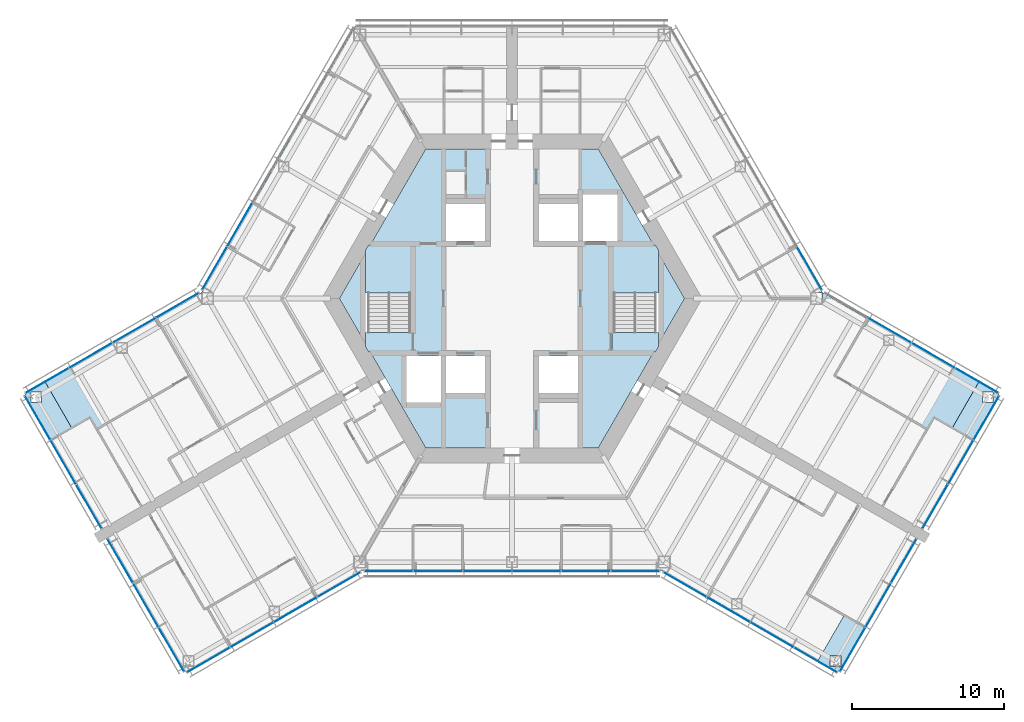
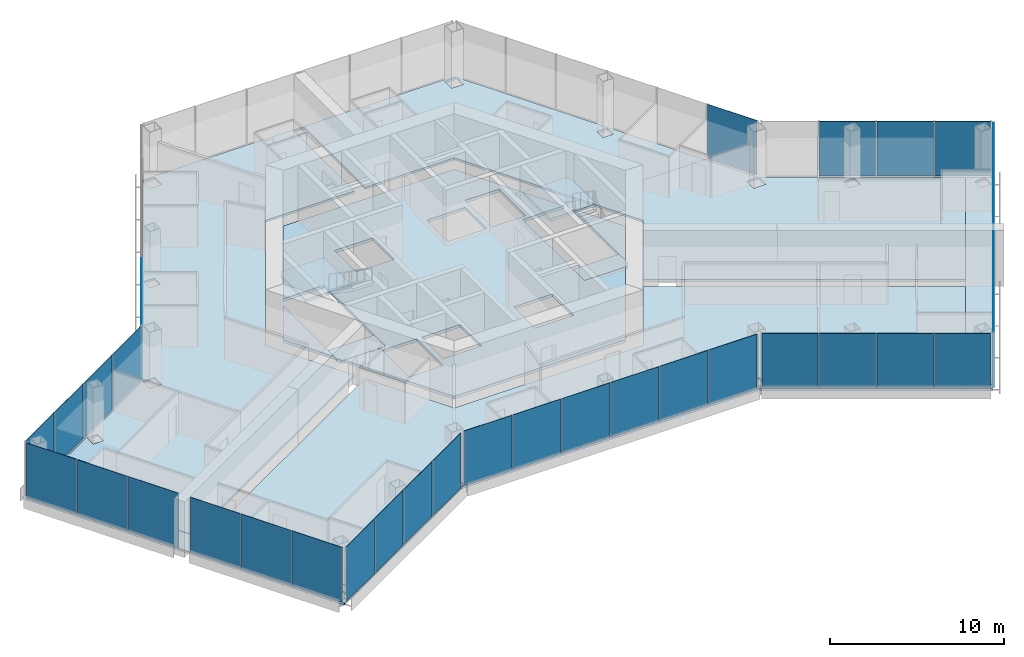
# One storey, part 10 of 18: 36 plates, 11 slabs, 13 elements without a shape of their own.
"""IFC4 building model written with IfcOpenShell, lengths in metres."""

from ifc_helpers import new_model, si_unit, direction, frame, origin, origin_2d, place, context, subcontext, project, spatial, polyline, rectangle, outline, extrude, material, layer, layer_set, type_object, element, aggregate, save


model = new_model("IFC4")

# Units and contexts
model_context = context("Model", 3, precision=1e-05, world=origin(), true_north=direction((0.0, 1.0)))
body_context = subcontext(model_context, "Body", "Model", "MODEL_VIEW")
ifc_project = project(units=[si_unit("LENGTHUNIT", "METRE"), si_unit("AREAUNIT", "SQUARE_METRE"), si_unit("VOLUMEUNIT", "CUBIC_METRE"), si_unit("PLANEANGLEUNIT", "RADIAN"), si_unit("MASSUNIT", "GRAM", prefix="KILO")], contexts=[model_context])

# Site, building, storey
site_placement = place(None, origin())
site = spatial("IfcSite", under=ifc_project, at=site_placement, CompositionType="ELEMENT")
building_placement = place(site_placement, origin())
building = spatial("IfcBuilding", under=site, at=building_placement, Name="Kasaneha Research Tower", CompositionType="ELEMENT")
storey_placement = place(building_placement, frame((0.0, 0.0, 179.89990234375)))
storey = spatial("IfcBuildingStorey", under=building, at=storey_placement, Name="L45", CompositionType="ELEMENT", Elevation=179.89990234375)

# Curtain wall, plates
ifc_material_1 = material(Name="Glass and aluminium", Category="aluminium")
curtain_wall_type = type_object("IfcCurtainWallType", Name="Mid-rise office curtain wall", PredefinedType="USERDEFINED", material=ifc_material_1)
curtain_wall_1_placement = place(storey_placement, origin())
curtain_wall_1 = element("IfcCurtainWall", 1, at=curtain_wall_1_placement, inside=storey, type_object=curtain_wall_type, Name="CW-O2 L45 run 01a", ObjectType="UNITISED CURTAIN WALL", PredefinedType="USERDEFINED")
ifc_material_2 = material(Name="Laminated double glazing", Category="glass")
ifc_layer_1 = layer(ifc_material_2, 0.02587890625)
ifc_layer_set_1 = layer_set([ifc_layer_1], Name="CW-O2 glazed panel")
plate_type = type_object("IfcPlateType", Name="CW-O2 glazed panel", PredefinedType="CURTAIN_PANEL", material=ifc_layer_set_1)
plate_1_placement = place(storey_placement, frame((-8.10107421875, -17.92041015625, 0.06005859375), z_axis=(0.0, 0.0, 1.0), x_axis=(1.0, 0.0, 0.0)))
plate_1 = element("IfcPlate", 2, at=plate_1_placement, type_object=plate_type, Name="CW-O2 panel 1", PredefinedType="CURTAIN_PANEL", context=body_context, shape_type="SweptSolid", body=[
    extrude(rectangle(XDim=3.156494140625, YDim=0.02587890625, at=origin_2d()), origin(), (0.0, 0.0, 1.0), 3.840087890625),
])
plate_2_placement = place(storey_placement, frame((-4.86962890625, -17.92041015625, 0.06005859375), z_axis=(0.0, 0.0, 1.0), x_axis=(1.0, 0.0, 0.0)))
plate_2 = element("IfcPlate", 3, at=plate_2_placement, type_object=plate_type, Name="CW-O2 panel 2", PredefinedType="CURTAIN_PANEL", context=body_context, shape_type="SweptSolid", body=[
    extrude(rectangle(XDim=3.1865234375, YDim=0.02587890625, at=origin_2d()), origin(), (0.0, 0.0, 1.0), 3.840087890625),
])
plate_3_placement = place(storey_placement, frame((-1.623291015625, -17.92041015625, 0.06005859375), z_axis=(0.0, 0.0, 1.0), x_axis=(1.0, 0.0, 0.0)))
plate_3 = element("IfcPlate", 4, at=plate_3_placement, type_object=plate_type, Name="CW-O2 panel 3", PredefinedType="CURTAIN_PANEL", context=body_context, shape_type="SweptSolid", body=[
    extrude(rectangle(XDim=3.1865234375, YDim=0.02587890625, at=origin_2d()), origin(), (0.0, 0.0, 1.0), 3.840087890625),
])
plate_4_placement = place(storey_placement, frame((1.623291015625, -17.92041015625, 0.06005859375), z_axis=(0.0, 0.0, 1.0), x_axis=(1.0, 0.0, 0.0)))
plate_4 = element("IfcPlate", 5, at=plate_4_placement, type_object=plate_type, Name="CW-O2 panel 4", PredefinedType="CURTAIN_PANEL", context=body_context, shape_type="SweptSolid", body=[
    extrude(rectangle(XDim=3.1865234375, YDim=0.02587890625, at=origin_2d()), origin(), (0.0, 0.0, 1.0), 3.840087890625),
])
plate_5_placement = place(storey_placement, frame((4.86962890625, -17.92041015625, 0.06005859375), z_axis=(0.0, 0.0, 1.0), x_axis=(1.0, 0.0, 0.0)))
plate_5 = element("IfcPlate", 6, at=plate_5_placement, type_object=plate_type, Name="CW-O2 panel 5", PredefinedType="CURTAIN_PANEL", context=body_context, shape_type="SweptSolid", body=[
    extrude(rectangle(XDim=3.1865234375, YDim=0.02587890625, at=origin_2d()), origin(), (0.0, 0.0, 1.0), 3.840087890625),
])
plate_6_placement = place(storey_placement, frame((8.10107421875, -17.92041015625, 0.06005859375), z_axis=(0.0, 0.0, 1.0), x_axis=(1.0, 0.0, 0.0)))
plate_6 = element("IfcPlate", 7, at=plate_6_placement, type_object=plate_type, Name="CW-O2 panel 6", PredefinedType="CURTAIN_PANEL", context=body_context, shape_type="SweptSolid", body=[
    extrude(rectangle(XDim=3.156494140625, YDim=0.02587890625, at=origin_2d()), origin(), (0.0, 0.0, 1.0), 3.840087890625),
])
aggregate(curtain_wall_1, [plate_1, plate_2, plate_3, plate_4, plate_5, plate_6])

curtain_wall_2_placement = place(storey_placement, origin())
curtain_wall_2 = element("IfcCurtainWall", 8, at=curtain_wall_2_placement, inside=storey, type_object=curtain_wall_type, Name="CW-O2 L45 run 02a", ObjectType="UNITISED CURTAIN WALL", PredefinedType="USERDEFINED")
plate_7_placement = place(storey_placement, frame((11.3720703125, -18.805419921875, 0.06005859375), z_axis=(0.0, 0.0, 1.0), x_axis=(0.866025411464, -0.499999986699, 0.0)))
plate_7 = element("IfcPlate", 9, at=plate_7_placement, type_object=plate_type, Name="CW-O2 panel 1", PredefinedType="CURTAIN_PANEL", context=body_context, shape_type="SweptSolid", body=[
    extrude(rectangle(XDim=3.2197265625, YDim=0.02587890625, at=origin_2d()), origin(), (0.0, 0.0, 1.0), 3.840087890625),
])
plate_8_placement = place(storey_placement, frame((14.225341796875, -20.452880859375, 0.06005859375), z_axis=(0.0, 0.0, 1.0), x_axis=(0.866025411464, -0.499999986699, 0.0)))
plate_8 = element("IfcPlate", 10, at=plate_8_placement, type_object=plate_type, Name="CW-O2 panel 2", PredefinedType="CURTAIN_PANEL", context=body_context, shape_type="SweptSolid", body=[
    extrude(rectangle(XDim=3.249755859375, YDim=0.02587890625, at=origin_2d()), origin(), (0.0, 0.0, 1.0), 3.840087890625),
])
plate_9_placement = place(storey_placement, frame((17.091796875, -22.107666015625, 0.06005859375), z_axis=(0.0, 0.0, 1.0), x_axis=(0.866025411464, -0.499999986699, 0.0)))
plate_9 = element("IfcPlate", 11, at=plate_9_placement, type_object=plate_type, Name="CW-O2 panel 3", PredefinedType="CURTAIN_PANEL", context=body_context, shape_type="SweptSolid", body=[
    extrude(rectangle(XDim=3.249755859375, YDim=0.02587890625, at=origin_2d()), origin(), (0.0, 0.0, 1.0), 3.840087890625),
])
plate_10_placement = place(storey_placement, frame((19.945068359375, -23.755126953125, 0.06005859375), z_axis=(0.0, 0.0, 1.0), x_axis=(0.866025411464, -0.499999986699, 0.0)))
plate_10 = element("IfcPlate", 12, at=plate_10_placement, type_object=plate_type, Name="CW-O2 panel 4", PredefinedType="CURTAIN_PANEL", context=body_context, shape_type="SweptSolid", body=[
    extrude(rectangle(XDim=3.2197265625, YDim=0.02587890625, at=origin_2d()), origin(), (0.0, 0.0, 1.0), 3.840087890625),
])
aggregate(curtain_wall_2, [plate_7, plate_8, plate_9, plate_10])

curtain_wall_3_placement = place(storey_placement, origin())
curtain_wall_3 = element("IfcCurtainWall", 13, at=curtain_wall_3_placement, inside=storey, type_object=curtain_wall_type, Name="CW-O2 L45 run 03a", ObjectType="UNITISED CURTAIN WALL", PredefinedType="USERDEFINED")
plate_11_placement = place(storey_placement, frame((22.38134765625, -23.075439453125, 0.06005859375), z_axis=(0.0, 0.0, 1.0), x_axis=(0.500000011442, 0.866025397178, 0.0)))
plate_11 = element("IfcPlate", 14, at=plate_11_placement, type_object=plate_type, Name="CW-O2 panel 1", PredefinedType="CURTAIN_PANEL", context=body_context, shape_type="SweptSolid", body=[
    extrude(rectangle(XDim=3.293212890625, YDim=0.02587890625, at=origin_2d()), origin(), (0.0, 0.0, 1.0), 3.840087890625),
])
plate_12_placement = place(storey_placement, frame((24.0654296875, -20.158447265625, 0.06005859375), z_axis=(0.0, 0.0, 1.0), x_axis=(0.500000011442, 0.866025397178, 0.0)))
plate_12 = element("IfcPlate", 15, at=plate_12_placement, type_object=plate_type, Name="CW-O2 panel 2", PredefinedType="CURTAIN_PANEL", context=body_context, shape_type="SweptSolid", body=[
    extrude(rectangle(XDim=3.3232421875, YDim=0.02587890625, at=origin_2d()), origin(), (0.0, 0.0, 1.0), 3.840087890625),
])
plate_13_placement = place(storey_placement, frame((25.74951171875, -17.241455078125, 0.06005859375), z_axis=(0.0, 0.0, 1.0), x_axis=(0.500000011442, 0.866025397178, 0.0)))
plate_13 = element("IfcPlate", 16, at=plate_13_placement, type_object=plate_type, Name="CW-O2 panel 3", PredefinedType="CURTAIN_PANEL", context=body_context, shape_type="SweptSolid", body=[
    extrude(rectangle(XDim=3.293212890625, YDim=0.02587890625, at=origin_2d()), origin(), (0.0, 0.0, 1.0), 3.840087890625),
])
aggregate(curtain_wall_3, [plate_11, plate_12, plate_13])

curtain_wall_4_placement = place(storey_placement, origin())
curtain_wall_4 = element("IfcCurtainWall", 17, at=curtain_wall_4_placement, inside=storey, type_object=curtain_wall_type, Name="CW-O2 L45 run 04a", ObjectType="UNITISED CURTAIN WALL", PredefinedType="USERDEFINED")
plate_14_placement = place(storey_placement, frame((27.806396484375, -13.67919921875, 0.06005859375), z_axis=(0.0, 0.0, 1.0), x_axis=(0.500000011442, 0.866025397178, 0.0)))
plate_14 = element("IfcPlate", 18, at=plate_14_placement, type_object=plate_type, Name="CW-O2 panel 1", PredefinedType="CURTAIN_PANEL", context=body_context, shape_type="SweptSolid", body=[
    extrude(rectangle(XDim=3.293212890625, YDim=0.02587890625, at=origin_2d()), origin(), (0.0, 0.0, 1.0), 3.840087890625),
])
plate_15_placement = place(storey_placement, frame((29.490478515625, -10.761962890625, 0.06005859375), z_axis=(0.0, 0.0, 1.0), x_axis=(0.500000011442, 0.866025397178, 0.0)))
plate_15 = element("IfcPlate", 19, at=plate_15_placement, type_object=plate_type, Name="CW-O2 panel 2", PredefinedType="CURTAIN_PANEL", context=body_context, shape_type="SweptSolid", body=[
    extrude(rectangle(XDim=3.3232421875, YDim=0.02587890625, at=origin_2d()), origin(), (0.0, 0.0, 1.0), 3.840087890625),
])
plate_16_placement = place(storey_placement, frame((31.174560546875, -7.844970703125, 0.06005859375), z_axis=(0.0, 0.0, 1.0), x_axis=(0.500000011442, 0.866025397178, 0.0)))
plate_16 = element("IfcPlate", 20, at=plate_16_placement, type_object=plate_type, Name="CW-O2 panel 3", PredefinedType="CURTAIN_PANEL", context=body_context, shape_type="SweptSolid", body=[
    extrude(rectangle(XDim=3.293212890625, YDim=0.02587890625, at=origin_2d()), origin(), (0.0, 0.0, 1.0), 3.840087890625),
])
aggregate(curtain_wall_4, [plate_14, plate_15, plate_16])

curtain_wall_5_placement = place(storey_placement, origin())
curtain_wall_5 = element("IfcCurtainWall", 21, at=curtain_wall_5_placement, inside=storey, type_object=curtain_wall_type, Name="CW-O2 L45 run 05a", ObjectType="UNITISED CURTAIN WALL", PredefinedType="USERDEFINED")
plate_17_placement = place(storey_placement, frame((30.545166015625, -5.3955078125, 0.06005859375), z_axis=(0.0, 0.0, 1.0), x_axis=(-0.866025411464, 0.499999986699, 0.0)))
plate_17 = element("IfcPlate", 22, at=plate_17_placement, type_object=plate_type, Name="CW-O2 panel 1", PredefinedType="CURTAIN_PANEL", context=body_context, shape_type="SweptSolid", body=[
    extrude(rectangle(XDim=3.2197265625, YDim=0.02587890625, at=origin_2d()), origin(), (0.0, 0.0, 1.0), 3.840087890625),
])
plate_18_placement = place(storey_placement, frame((27.69189453125, -3.748046875, 0.06005859375), z_axis=(0.0, 0.0, 1.0), x_axis=(-0.866025411464, 0.499999986699, 0.0)))
plate_18 = element("IfcPlate", 23, at=plate_18_placement, type_object=plate_type, Name="CW-O2 panel 2", PredefinedType="CURTAIN_PANEL", context=body_context, shape_type="SweptSolid", body=[
    extrude(rectangle(XDim=3.249755859375, YDim=0.02587890625, at=origin_2d()), origin(), (0.0, 0.0, 1.0), 3.840087890625),
])
plate_19_placement = place(storey_placement, frame((24.825439453125, -2.093017578125, 0.06005859375), z_axis=(0.0, 0.0, 1.0), x_axis=(-0.866025411464, 0.499999986699, 0.0)))
plate_19 = element("IfcPlate", 24, at=plate_19_placement, type_object=plate_type, Name="CW-O2 panel 3", PredefinedType="CURTAIN_PANEL", context=body_context, shape_type="SweptSolid", body=[
    extrude(rectangle(XDim=3.249755859375, YDim=0.02587890625, at=origin_2d()), origin(), (0.0, 0.0, 1.0), 3.840087890625),
])
aggregate(curtain_wall_5, [plate_17, plate_18, plate_19])

# Curtain wall, plate
curtain_wall_6_placement = place(storey_placement, origin())
curtain_wall_6 = element("IfcCurtainWall", 25, at=curtain_wall_6_placement, inside=storey, type_object=curtain_wall_type, Name="CW-O2 L45 run 06a", ObjectType="UNITISED CURTAIN WALL", PredefinedType="USERDEFINED")
plate_20_placement = place(storey_placement, frame((19.549072265625, 1.981201171875, 0.06005859375), z_axis=(0.0, 0.0, 1.0), x_axis=(-0.499999979232, 0.866025415775, 0.0)))
plate_20 = element("IfcPlate", 26, at=plate_20_placement, type_object=plate_type, Name="CW-O2 panel 1", PredefinedType="CURTAIN_PANEL", context=body_context, shape_type="SweptSolid", body=[
    extrude(rectangle(XDim=3.240966796875, YDim=0.02587890625, at=origin_2d()), origin(), (0.0, 0.0, 1.0), 3.840087890625),
])
aggregate(curtain_wall_6, [plate_20])

# Curtain wall, plates
curtain_wall_7_placement = place(storey_placement, origin())
curtain_wall_7 = element("IfcCurtainWall", 27, at=curtain_wall_7_placement, inside=storey, type_object=curtain_wall_type, Name="CW-O2 L45 run 08a", ObjectType="UNITISED CURTAIN WALL", PredefinedType="USERDEFINED")
plate_21_placement = place(storey_placement, frame((-17.89111328125, 4.852783203125, 0.06005859375), z_axis=(0.0, 0.0, 1.0), x_axis=(-0.499999979232, -0.866025415775, 0.0)))
plate_21 = element("IfcPlate", 28, at=plate_21_placement, type_object=plate_type, Name="CW-O2 panel 5", PredefinedType="CURTAIN_PANEL", context=body_context, shape_type="SweptSolid", body=[
    extrude(rectangle(XDim=3.27099609375, YDim=0.02587890625, at=origin_2d()), origin(), (0.0, 0.0, 1.0), 3.840087890625),
])
plate_22_placement = place(storey_placement, frame((-19.549072265625, 1.981201171875, 0.06005859375), z_axis=(0.0, 0.0, 1.0), x_axis=(-0.499999979232, -0.866025415775, 0.0)))
plate_22 = element("IfcPlate", 29, at=plate_22_placement, type_object=plate_type, Name="CW-O2 panel 6", PredefinedType="CURTAIN_PANEL", context=body_context, shape_type="SweptSolid", body=[
    extrude(rectangle(XDim=3.240966796875, YDim=0.02587890625, at=origin_2d()), origin(), (0.0, 0.0, 1.0), 3.840087890625),
])
aggregate(curtain_wall_7, [plate_21, plate_22])

curtain_wall_8_placement = place(storey_placement, origin())
curtain_wall_8 = element("IfcCurtainWall", 30, at=curtain_wall_8_placement, inside=storey, type_object=curtain_wall_type, Name="CW-O2 L45 run 09a", ObjectType="UNITISED CURTAIN WALL", PredefinedType="USERDEFINED")
plate_23_placement = place(storey_placement, frame((-21.971923828125, -0.44580078125, 0.06005859375), z_axis=(0.0, 0.0, 1.0), x_axis=(-0.866025411464, -0.499999986699, 0.0)))
plate_23 = element("IfcPlate", 31, at=plate_23_placement, type_object=plate_type, Name="CW-O2 panel 1", PredefinedType="CURTAIN_PANEL", context=body_context, shape_type="SweptSolid", body=[
    extrude(rectangle(XDim=3.2197265625, YDim=0.02587890625, at=origin_2d()), origin(), (0.0, 0.0, 1.0), 3.840087890625),
])
plate_24_placement = place(storey_placement, frame((-24.825439453125, -2.093017578125, 0.06005859375), z_axis=(0.0, 0.0, 1.0), x_axis=(-0.866025411464, -0.499999986699, 0.0)))
plate_24 = element("IfcPlate", 32, at=plate_24_placement, type_object=plate_type, Name="CW-O2 panel 2", PredefinedType="CURTAIN_PANEL", context=body_context, shape_type="SweptSolid", body=[
    extrude(rectangle(XDim=3.249755859375, YDim=0.02587890625, at=origin_2d()), origin(), (0.0, 0.0, 1.0), 3.840087890625),
])
plate_25_placement = place(storey_placement, frame((-27.69189453125, -3.748046875, 0.06005859375), z_axis=(0.0, 0.0, 1.0), x_axis=(-0.866025411464, -0.499999986699, 0.0)))
plate_25 = element("IfcPlate", 33, at=plate_25_placement, type_object=plate_type, Name="CW-O2 panel 3", PredefinedType="CURTAIN_PANEL", context=body_context, shape_type="SweptSolid", body=[
    extrude(rectangle(XDim=3.249755859375, YDim=0.02587890625, at=origin_2d()), origin(), (0.0, 0.0, 1.0), 3.840087890625),
])
plate_26_placement = place(storey_placement, frame((-30.545166015625, -5.3955078125, 0.06005859375), z_axis=(0.0, 0.0, 1.0), x_axis=(-0.866025411464, -0.499999986699, 0.0)))
plate_26 = element("IfcPlate", 34, at=plate_26_placement, type_object=plate_type, Name="CW-O2 panel 4", PredefinedType="CURTAIN_PANEL", context=body_context, shape_type="SweptSolid", body=[
    extrude(rectangle(XDim=3.2197265625, YDim=0.02587890625, at=origin_2d()), origin(), (0.0, 0.0, 1.0), 3.840087890625),
])
aggregate(curtain_wall_8, [plate_23, plate_24, plate_25, plate_26])

curtain_wall_9_placement = place(storey_placement, origin())
curtain_wall_9 = element("IfcCurtainWall", 35, at=curtain_wall_9_placement, inside=storey, type_object=curtain_wall_type, Name="CW-O2 L45 run 10a", ObjectType="UNITISED CURTAIN WALL", PredefinedType="USERDEFINED")
plate_27_placement = place(storey_placement, frame((-31.174560546875, -7.844970703125, 0.06005859375), z_axis=(0.0, 0.0, 1.0), x_axis=(0.500000011442, -0.866025397178, 0.0)))
plate_27 = element("IfcPlate", 36, at=plate_27_placement, type_object=plate_type, Name="CW-O2 panel 1", PredefinedType="CURTAIN_PANEL", context=body_context, shape_type="SweptSolid", body=[
    extrude(rectangle(XDim=3.293212890625, YDim=0.02587890625, at=origin_2d()), origin(), (0.0, 0.0, 1.0), 3.840087890625),
])
plate_28_placement = place(storey_placement, frame((-29.490478515625, -10.761962890625, 0.06005859375), z_axis=(0.0, 0.0, 1.0), x_axis=(0.500000011442, -0.866025397178, 0.0)))
plate_28 = element("IfcPlate", 37, at=plate_28_placement, type_object=plate_type, Name="CW-O2 panel 2", PredefinedType="CURTAIN_PANEL", context=body_context, shape_type="SweptSolid", body=[
    extrude(rectangle(XDim=3.3232421875, YDim=0.02587890625, at=origin_2d()), origin(), (0.0, 0.0, 1.0), 3.840087890625),
])
plate_29_placement = place(storey_placement, frame((-27.806396484375, -13.67919921875, 0.06005859375), z_axis=(0.0, 0.0, 1.0), x_axis=(0.500000011442, -0.866025397178, 0.0)))
plate_29 = element("IfcPlate", 38, at=plate_29_placement, type_object=plate_type, Name="CW-O2 panel 3", PredefinedType="CURTAIN_PANEL", context=body_context, shape_type="SweptSolid", body=[
    extrude(rectangle(XDim=3.293212890625, YDim=0.02587890625, at=origin_2d()), origin(), (0.0, 0.0, 1.0), 3.840087890625),
])
aggregate(curtain_wall_9, [plate_27, plate_28, plate_29])

curtain_wall_10_placement = place(storey_placement, origin())
curtain_wall_10 = element("IfcCurtainWall", 39, at=curtain_wall_10_placement, inside=storey, type_object=curtain_wall_type, Name="CW-O2 L45 run 11a", ObjectType="UNITISED CURTAIN WALL", PredefinedType="USERDEFINED")
plate_30_placement = place(storey_placement, frame((-25.74951171875, -17.241455078125, 0.06005859375), z_axis=(0.0, 0.0, 1.0), x_axis=(0.500000011442, -0.866025397178, 0.0)))
plate_30 = element("IfcPlate", 40, at=plate_30_placement, type_object=plate_type, Name="CW-O2 panel 1", PredefinedType="CURTAIN_PANEL", context=body_context, shape_type="SweptSolid", body=[
    extrude(rectangle(XDim=3.293212890625, YDim=0.02587890625, at=origin_2d()), origin(), (0.0, 0.0, 1.0), 3.840087890625),
])
plate_31_placement = place(storey_placement, frame((-24.0654296875, -20.158447265625, 0.06005859375), z_axis=(0.0, 0.0, 1.0), x_axis=(0.500000011442, -0.866025397178, 0.0)))
plate_31 = element("IfcPlate", 41, at=plate_31_placement, type_object=plate_type, Name="CW-O2 panel 2", PredefinedType="CURTAIN_PANEL", context=body_context, shape_type="SweptSolid", body=[
    extrude(rectangle(XDim=3.3232421875, YDim=0.02587890625, at=origin_2d()), origin(), (0.0, 0.0, 1.0), 3.840087890625),
])
plate_32_placement = place(storey_placement, frame((-22.38134765625, -23.075439453125, 0.06005859375), z_axis=(0.0, 0.0, 1.0), x_axis=(0.500000011442, -0.866025397178, 0.0)))
plate_32 = element("IfcPlate", 42, at=plate_32_placement, type_object=plate_type, Name="CW-O2 panel 3", PredefinedType="CURTAIN_PANEL", context=body_context, shape_type="SweptSolid", body=[
    extrude(rectangle(XDim=3.293212890625, YDim=0.02587890625, at=origin_2d()), origin(), (0.0, 0.0, 1.0), 3.840087890625),
])
aggregate(curtain_wall_10, [plate_30, plate_31, plate_32])

curtain_wall_11_placement = place(storey_placement, origin())
curtain_wall_11 = element("IfcCurtainWall", 43, at=curtain_wall_11_placement, inside=storey, type_object=curtain_wall_type, Name="CW-O2 L45 run 12a", ObjectType="UNITISED CURTAIN WALL", PredefinedType="USERDEFINED")
plate_33_placement = place(storey_placement, frame((-19.945068359375, -23.755126953125, 0.06005859375), z_axis=(0.0, 0.0, 1.0), x_axis=(0.866025411464, 0.499999986699, 0.0)))
plate_33 = element("IfcPlate", 44, at=plate_33_placement, type_object=plate_type, Name="CW-O2 panel 1", PredefinedType="CURTAIN_PANEL", context=body_context, shape_type="SweptSolid", body=[
    extrude(rectangle(XDim=3.2197265625, YDim=0.02587890625, at=origin_2d()), origin(), (0.0, 0.0, 1.0), 3.840087890625),
])
plate_34_placement = place(storey_placement, frame((-17.091796875, -22.107666015625, 0.06005859375), z_axis=(0.0, 0.0, 1.0), x_axis=(0.866025411464, 0.499999986699, 0.0)))
plate_34 = element("IfcPlate", 45, at=plate_34_placement, type_object=plate_type, Name="CW-O2 panel 2", PredefinedType="CURTAIN_PANEL", context=body_context, shape_type="SweptSolid", body=[
    extrude(rectangle(XDim=3.249755859375, YDim=0.02587890625, at=origin_2d()), origin(), (0.0, 0.0, 1.0), 3.840087890625),
])
plate_35_placement = place(storey_placement, frame((-14.225341796875, -20.452880859375, 0.06005859375), z_axis=(0.0, 0.0, 1.0), x_axis=(0.866025411464, 0.499999986699, 0.0)))
plate_35 = element("IfcPlate", 46, at=plate_35_placement, type_object=plate_type, Name="CW-O2 panel 3", PredefinedType="CURTAIN_PANEL", context=body_context, shape_type="SweptSolid", body=[
    extrude(rectangle(XDim=3.249755859375, YDim=0.02587890625, at=origin_2d()), origin(), (0.0, 0.0, 1.0), 3.840087890625),
])
plate_36_placement = place(storey_placement, frame((-11.3720703125, -18.805419921875, 0.06005859375), z_axis=(0.0, 0.0, 1.0), x_axis=(0.866025411464, 0.499999986699, 0.0)))
plate_36 = element("IfcPlate", 47, at=plate_36_placement, type_object=plate_type, Name="CW-O2 panel 4", PredefinedType="CURTAIN_PANEL", context=body_context, shape_type="SweptSolid", body=[
    extrude(rectangle(XDim=3.2197265625, YDim=0.02587890625, at=origin_2d()), origin(), (0.0, 0.0, 1.0), 3.840087890625),
])
aggregate(curtain_wall_11, [plate_33, plate_34, plate_35, plate_36])

# Slabs
ifc_material_3 = material(Name="Concrete Fc24", Category="concrete")
ifc_layer_2 = layer(ifc_material_3, 0.199951171875)
ifc_layer_set_2 = layer_set([ifc_layer_2], Name="Core floor slab 200")
slab_type_1 = type_object("IfcSlabType", Name="Core floor slab 200", PredefinedType="FLOOR", material=ifc_layer_set_2)
slab_1_placement = place(storey_placement, frame((0.0, 0.0, -0.199951171875)))
element("IfcSlab", 48, at=slab_1_placement, inside=storey, type_object=slab_type_1, Name="Core slab L45", PredefinedType="FLOOR", context=body_context, shape_type="SweptSolid", body=[
    extrude(outline(polyline([(-11.344970703125, 0.0), (-9.625, 2.97900390625), (-9.625, -2.97900390625), (-11.344970703125, 0.0)])), origin(), (0.0, 0.0, 1.0), 0.199951171875),
])
slab_2_placement = place(storey_placement, frame((0.0, 0.0, -0.199951171875)))
element("IfcSlab", 49, at=slab_2_placement, inside=storey, type_object=slab_type_1, Name="Core slab L45", PredefinedType="FLOOR", context=body_context, shape_type="SweptSolid", body=[
    extrude(outline(polyline([(-5.67236328125, 9.824951171875), (5.67236328125, 9.824951171875), (9.309814453125, 3.52490234375), (6.574951171875, 3.52490234375), (6.574951171875, -3.52490234375), (9.309814453125, -3.52490234375), (5.67236328125, -9.824951171875), (-5.67236328125, -9.824951171875), (-9.309814453125, -3.52490234375), (-6.574951171875, -3.52490234375), (-6.574951171875, 3.52490234375), (-9.309814453125, 3.52490234375), (-5.67236328125, 9.824951171875)]), holes=[polyline([(-6.925048828125, -3.77490234375), (-6.925048828125, -6.824951171875), (-4.675048828125, -6.824951171875), (-4.675048828125, -3.77490234375), (-6.925048828125, -3.77490234375)]), polyline([(-4.324951171875, -3.77490234375), (-4.324951171875, -6.22509765625), (-1.77490234375, -6.22509765625), (-1.77490234375, -3.77490234375), (-4.324951171875, -3.77490234375)]), polyline([(1.77490234375, -3.77490234375), (1.77490234375, -6.22509765625), (4.324951171875, -6.22509765625), (4.324951171875, -3.77490234375), (1.77490234375, -3.77490234375)]), polyline([(-4.324951171875, 6.22509765625), (-4.324951171875, 3.77490234375), (-1.77490234375, 3.77490234375), (-1.77490234375, 6.22509765625), (-4.324951171875, 6.22509765625)]), polyline([(1.77490234375, 6.22509765625), (1.77490234375, 3.77490234375), (4.324951171875, 3.77490234375), (4.324951171875, 6.22509765625), (1.77490234375, 6.22509765625)]), polyline([(4.675048828125, 6.824951171875), (4.675048828125, 3.77490234375), (6.925048828125, 3.77490234375), (6.925048828125, 6.824951171875), (4.675048828125, 6.824951171875)])]), origin(), (0.0, 0.0, 1.0), 0.199951171875),
])
slab_3_placement = place(storey_placement, frame((0.0, 0.0, -0.199951171875)))
element("IfcSlab", 50, at=slab_3_placement, inside=storey, type_object=slab_type_1, Name="Core slab L45", PredefinedType="FLOOR", context=body_context, shape_type="SweptSolid", body=[
    extrude(outline(polyline([(11.344970703125, 0.0), (9.625, -2.97900390625), (9.625, 2.97900390625), (11.344970703125, 0.0)])), origin(), (0.0, 0.0, 1.0), 0.199951171875),
])
ifc_material_4 = material(Name="Concrete Fc24", Category="concrete")
ifc_layer_3 = layer(ifc_material_4, 0.14990234375)
ifc_layer_set_3 = layer_set([ifc_layer_3], Name="Floor slab 150")
slab_type_2 = type_object("IfcSlabType", Name="Floor slab 150", PredefinedType="FLOOR", material=ifc_layer_set_3)
slab_4_placement = place(storey_placement, frame((0.0, 0.0, -0.14990234375)))
element("IfcSlab", 51, at=slab_4_placement, inside=storey, type_object=slab_type_2, Name="Floor slab L45 1", PredefinedType="FLOOR", context=body_context, shape_type="SweptSolid", body=[
    extrude(outline(polyline([(-32.009521484375, -6.298583984375), (-30.65869140625, -5.518798828125), (-25.55859375, -14.35205078125), (-25.5673828125, -14.357177734375), (-25.21728515625, -14.96337890625), (-25.208740234375, -14.958251953125), (-20.108642578125, -23.791748046875), (-21.459716796875, -24.57177734375), (-32.009521484375, -6.298583984375)]), holes=[polyline([(-20.908447265625, -24.17041015625), (-20.908447265625, -23.470458984375), (-21.6083984375, -23.470458984375), (-21.6083984375, -24.17041015625), (-20.908447265625, -24.17041015625)]), polyline([(-30.908447265625, -6.85009765625), (-30.908447265625, -6.14990234375), (-31.6083984375, -6.14990234375), (-31.6083984375, -6.85009765625), (-30.908447265625, -6.85009765625)])]), origin(), (0.0, 0.0, 1.0), 0.14990234375),
])
slab_5_placement = place(storey_placement, frame((0.0, 0.0, -0.14990234375)))
element("IfcSlab", 52, at=slab_5_placement, inside=storey, type_object=slab_type_2, Name="Floor slab L45 2", PredefinedType="FLOOR", context=body_context, shape_type="SweptSolid", body=[
    extrude(outline(polyline([(9.8525390625, -17.87060546875), (-9.8525390625, -17.87060546875), (-20.108642578125, -23.791748046875), (-25.208740234375, -14.958251953125), (-9.19970703125, -5.715576171875), (-6.249755859375, -10.824951171875), (6.249755859375, -10.824951171875), (9.19970703125, -5.715576171875), (25.208740234375, -14.958251953125), (20.108642578125, -23.791748046875), (9.8525390625, -17.87060546875)]), holes=[polyline([(-15.279052734375, -20.92041015625), (-15.279052734375, -20.220458984375), (-15.979248046875, -20.220458984375), (-15.979248046875, -20.92041015625), (-15.279052734375, -20.92041015625)]), polyline([(0.35009765625, -17.67041015625), (0.35009765625, -16.970458984375), (-0.35009765625, -16.970458984375), (-0.35009765625, -17.67041015625), (0.35009765625, -17.67041015625)]), polyline([(-10.39990234375, -17.720458984375), (-9.60009765625, -17.720458984375), (-9.60009765625, -16.92041015625), (-10.39990234375, -16.92041015625), (-10.39990234375, -17.720458984375)]), polyline([(15.113037109375, -20.42041015625), (15.113037109375, -19.720458984375), (14.4130859375, -19.720458984375), (14.4130859375, -20.42041015625), (15.113037109375, -20.42041015625)]), polyline([(9.60009765625, -17.720458984375), (10.39990234375, -17.720458984375), (10.39990234375, -16.92041015625), (9.60009765625, -16.92041015625), (9.60009765625, -17.720458984375)])]), origin(), (0.0, 0.0, 1.0), 0.14990234375),
])
slab_6_placement = place(storey_placement, frame((0.0, 0.0, -0.14990234375)))
element("IfcSlab", 53, at=slab_6_placement, inside=storey, type_object=slab_type_2, Name="Floor slab L45 3", PredefinedType="FLOOR", context=body_context, shape_type="SweptSolid", body=[
    extrude(outline(polyline([(-20.400146484375, -0.400146484375), (-19.599853515625, -0.400146484375), (-19.599853515625, 0.400146484375), (-20.385986328125, 0.400146484375), (-20.3974609375, 0.41162109375), (-10.40771484375, 17.714111328125), (-10.400146484375, 17.70654296875), (-10.400146484375, 16.92041015625), (-9.599853515625, 16.92041015625), (-9.599853515625, 17.720703125), (-10.385986328125, 17.720703125), (-10.3974609375, 17.732177734375), (-10.317626953125, 17.87060546875), (10.317626953125, 17.87060546875), (10.3974609375, 17.732177734375), (10.385986328125, 17.720703125), (9.599853515625, 17.720703125), (9.599853515625, 16.92041015625), (10.400146484375, 16.92041015625), (10.400146484375, 17.70654296875), (10.40771484375, 17.714111328125), (20.3974609375, 0.41162109375), (20.385986328125, 0.400146484375), (19.599853515625, 0.400146484375), (19.599853515625, -0.400146484375), (20.400146484375, -0.400146484375), (20.400146484375, 0.385986328125), (20.41162109375, 0.3974609375), (30.65869140625, -5.518798828125), (25.55859375, -14.35205078125), (9.5498046875, -5.109375), (12.49951171875, 0.0), (6.249755859375, 10.824951171875), (0.35009765625, 10.824951171875), (0.35009765625, 17.7705078125), (-0.35009765625, 17.7705078125), (-0.35009765625, 10.824951171875), (-6.249755859375, 10.824951171875), (-12.49951171875, 0.0), (-9.5498046875, -5.109375), (-25.55859375, -14.35205078125), (-30.65869140625, -5.518798828125), (-20.41162109375, 0.3974609375), (-20.400146484375, 0.385986328125), (-20.400146484375, -0.400146484375)]), holes=[polyline([(-25.279052734375, -3.60009765625), (-25.279052734375, -2.89990234375), (-25.979248046875, -2.89990234375), (-25.979248046875, -3.60009765625), (-25.279052734375, -3.60009765625)]), polyline([(-15.35009765625, 8.310302734375), (-14.64990234375, 8.310302734375), (-14.64990234375, 9.01025390625), (-15.35009765625, 9.01025390625), (-15.35009765625, 8.310302734375)]), polyline([(24.4130859375, -3.10009765625), (25.113037109375, -3.10009765625), (25.113037109375, -2.39990234375), (24.4130859375, -2.39990234375), (24.4130859375, -3.10009765625)]), polyline([(14.64990234375, 8.310302734375), (15.35009765625, 8.310302734375), (15.35009765625, 9.01025390625), (14.64990234375, 9.01025390625), (14.64990234375, 8.310302734375)])]), origin(), (0.0, 0.0, 1.0), 0.14990234375),
])
slab_7_placement = place(storey_placement, frame((0.0, 0.0, -0.14990234375)))
element("IfcSlab", 54, at=slab_7_placement, inside=storey, type_object=slab_type_2, Name="Floor slab L45 4", PredefinedType="FLOOR", context=body_context, shape_type="SweptSolid", body=[
    extrude(outline(polyline([(32.009521484375, -6.298583984375), (21.459716796875, -24.57177734375), (20.108642578125, -23.791748046875), (25.208740234375, -14.958251953125), (25.21728515625, -14.96337890625), (25.5673828125, -14.357177734375), (25.55859375, -14.35205078125), (30.65869140625, -5.518798828125), (32.009521484375, -6.298583984375)]), holes=[polyline([(21.6083984375, -24.17041015625), (21.6083984375, -23.470458984375), (20.908447265625, -23.470458984375), (20.908447265625, -24.17041015625), (21.6083984375, -24.17041015625)]), polyline([(31.6083984375, -6.85009765625), (31.6083984375, -6.14990234375), (30.908447265625, -6.14990234375), (30.908447265625, -6.85009765625), (31.6083984375, -6.85009765625)])]), origin(), (0.0, 0.0, 1.0), 0.14990234375),
])

# Stair, slabs
ifc_material_5 = material(Name="Concrete Fc24", Category="concrete")
stair_type = type_object("IfcStairType", Name="Half-turn stair 22 risers", PredefinedType="HALF_TURN_STAIR", material=ifc_material_5)
stair_1_placement = place(storey_placement, origin())
stair_1 = element("IfcStair", 55, at=stair_1_placement, inside=storey, type_object=stair_type, Name="Stair 1 L45", PredefinedType="HALF_TURN_STAIR")
ifc_material_6 = material(Name="Concrete Fc24", Category="concrete")
ifc_layer_4 = layer(ifc_material_6, 0.199951171875)
ifc_layer_set_4 = layer_set([ifc_layer_4], Name="Stair 1 landing 200")
slab_type_3 = type_object("IfcSlabType", Name="Stair 1 landing 200", PredefinedType="LANDING", material=ifc_layer_set_4)
slab_8_placement = place(storey_placement, frame((0.0, 0.0, -0.199951171875)))
slab_8 = element("IfcSlab", 56, at=slab_8_placement, type_object=slab_type_3, Name="ST1-22R landing 1", PredefinedType="LANDING", context=body_context, shape_type="SweptSolid", body=[
    extrude(outline(polyline([(9.42529296875, -3.52490234375), (6.574951171875, -3.52490234375), (6.574951171875, -2.22509765625), (9.625, -2.22509765625), (9.625, -3.178955078125), (9.42529296875, -3.52490234375)])), origin(), (0.0, 0.0, 1.0), 0.199951171875),
])
slab_9_placement = place(storey_placement, frame((0.0, 0.0, 1.75)))
slab_9 = element("IfcSlab", 57, at=slab_9_placement, type_object=slab_type_3, Name="ST1-22R landing 2", PredefinedType="LANDING", context=body_context, shape_type="SweptSolid", body=[
    extrude(outline(polyline([(6.574951171875, 3.52490234375), (9.42529296875, 3.52490234375), (9.625, 3.178955078125), (9.625, 0.375), (6.574951171875, 0.375), (6.574951171875, 3.52490234375)])), origin(), (0.0, 0.0, 1.0), 0.2001953125),
])
aggregate(stair_1, [slab_8, slab_9])

stair_2_placement = place(storey_placement, origin())
stair_2 = element("IfcStair", 58, at=stair_2_placement, inside=storey, type_object=stair_type, Name="Stair 2 L45", PredefinedType="HALF_TURN_STAIR")
ifc_material_7 = material(Name="Concrete Fc24", Category="concrete")
ifc_layer_5 = layer(ifc_material_7, 0.199951171875)
ifc_layer_set_5 = layer_set([ifc_layer_5], Name="Stair 2 landing 200")
slab_type_4 = type_object("IfcSlabType", Name="Stair 2 landing 200", PredefinedType="LANDING", material=ifc_layer_set_5)
slab_10_placement = place(storey_placement, frame((0.0, 0.0, -0.199951171875)))
slab_10 = element("IfcSlab", 59, at=slab_10_placement, type_object=slab_type_4, Name="ST2-22R landing 1", PredefinedType="LANDING", context=body_context, shape_type="SweptSolid", body=[
    extrude(outline(polyline([(-6.574951171875, -3.52490234375), (-9.42529296875, -3.52490234375), (-9.625, -3.178955078125), (-9.625, -2.22509765625), (-6.574951171875, -2.22509765625), (-6.574951171875, -3.52490234375)])), origin(), (0.0, 0.0, 1.0), 0.199951171875),
])
slab_11_placement = place(storey_placement, frame((0.0, 0.0, 1.75)))
slab_11 = element("IfcSlab", 60, at=slab_11_placement, type_object=slab_type_4, Name="ST2-22R landing 2", PredefinedType="LANDING", context=body_context, shape_type="SweptSolid", body=[
    extrude(outline(polyline([(-6.574951171875, 0.375), (-9.625, 0.375), (-9.625, 3.178955078125), (-9.42529296875, 3.52490234375), (-6.574951171875, 3.52490234375), (-6.574951171875, 0.375)])), origin(), (0.0, 0.0, 1.0), 0.2001953125),
])
aggregate(stair_2, [slab_10, slab_11])

save(model, "model.ifc")
